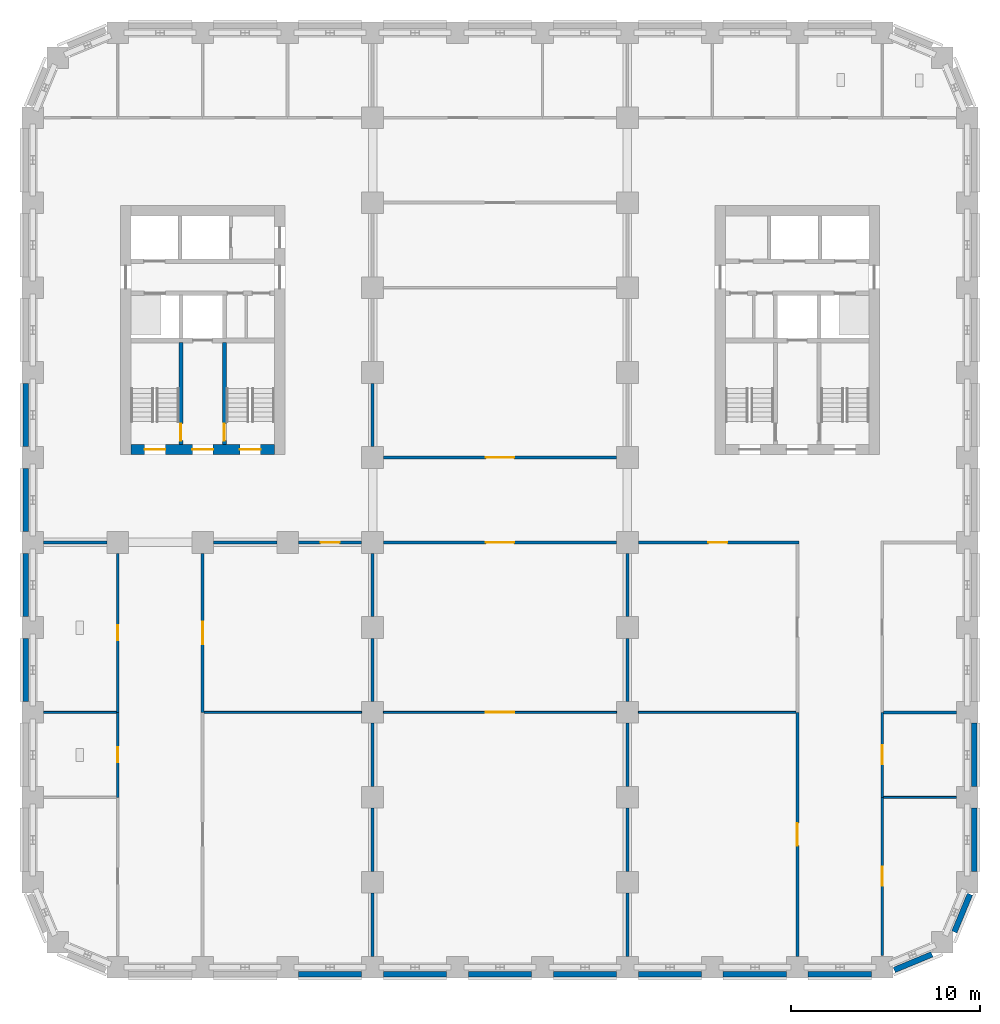
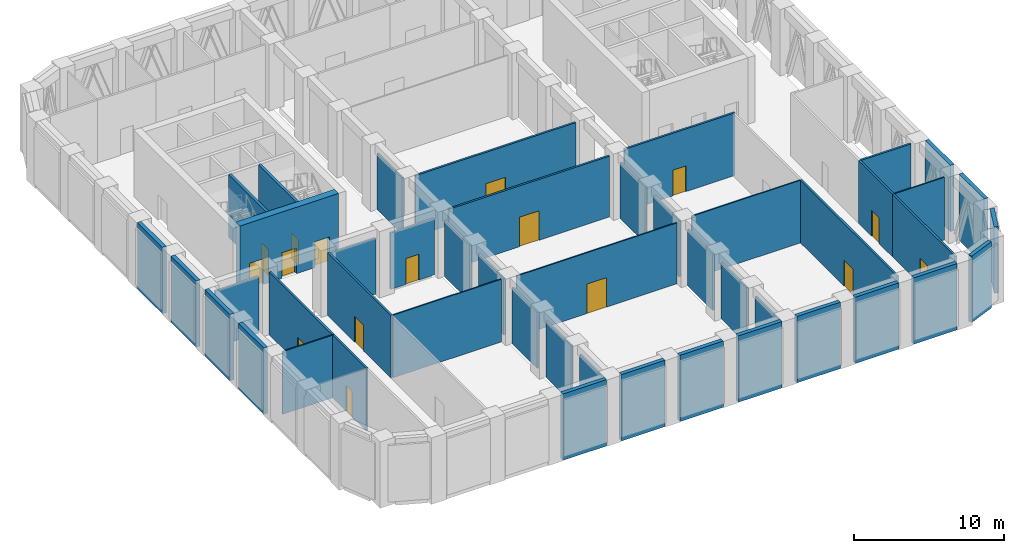
# One storey, part 3 of 11: 47 walls, 16 doors, 16 openings.
"""IFC4 building model written with IfcOpenShell, lengths in metres."""

from ifc_helpers import new_model, si_unit, direction, frame, frame_2d, origin, place, context, subcontext, project, spatial, rectangle, extrude, material, layer, layer_set, type_object, element, fill, save


model = new_model("IFC4")

# Units and contexts
model_context = context("Model", 3, precision=1e-05, world=origin(), true_north=direction((0.0, 1.0)))
body_context = subcontext(model_context, "Body", "Model", "MODEL_VIEW")
ifc_project = project(units=[si_unit("LENGTHUNIT", "METRE"), si_unit("AREAUNIT", "SQUARE_METRE"), si_unit("VOLUMEUNIT", "CUBIC_METRE"), si_unit("PLANEANGLEUNIT", "RADIAN"), si_unit("MASSUNIT", "GRAM", prefix="KILO")], contexts=[model_context])

# Site, building, storey
site_placement = place(None, origin())
site = spatial("IfcSite", under=ifc_project, at=site_placement, CompositionType="ELEMENT")
building_placement = place(site_placement, origin())
building = spatial("IfcBuilding", under=site, at=building_placement, Name="Girih Gate Residences", CompositionType="ELEMENT")
storey_placement = place(building_placement, frame((0.0, 0.0, 124.800048828125)))
storey = spatial("IfcBuildingStorey", under=building, at=storey_placement, Name="L35", CompositionType="ELEMENT", Elevation=124.800048828125)

# Wall, opening, door
ifc_material_1 = material(Name="Gypsum board on steel studs", Category="steel")
ifc_layer_1 = layer(ifc_material_1, 0.14990234375)
ifc_layer_set_1 = layer_set([ifc_layer_1], Name="Compartment wall 150 mm")
wall_type_1 = type_object("IfcWallType", Name="Compartment wall 150 mm", PredefinedType="PARTITIONING", material=ifc_layer_set_1)
wall_1_placement = place(storey_placement, frame((18.574951171875, 27.0, 0.0), z_axis=(0.0, 0.0, 1.0), x_axis=(1.0, 0.0, 0.0)))
wall_1 = element("IfcWall", 1, at=wall_1_placement, inside=storey, type_object=wall_type_1, Name="L35 partition", PredefinedType="PARTITIONING", context=body_context, shape_type="SweptSolid", body=[
    extrude(rectangle(XDim=12.35009765625, YDim=0.14990234375, at=frame_2d((6.175048828125, 0.0))), origin(), (0.0, 0.0, 1.0), 4.949951171875),
])
opening_1_placement = place(wall_1_placement, frame((5.425048828125, 0.0, 0.0)))
opening_1 = element("IfcOpeningElement", 2, at=opening_1_placement, cuts=wall_1, Name="Opening D-L35-S-001", PredefinedType="OPENING", context=body_context, shape_type="SweptSolid", body=[
    extrude(rectangle(XDim=1.5, YDim=2.39990234375, at=frame_2d((0.75, 1.199951171875))), frame((0.0, 0.0849609375, 0.0), z_axis=(0.0, -1.0, 0.0), x_axis=(1.0, 0.0, 0.0)), (0.0, 0.0, 1.0), 0.169921875),
])
ifc_material_2 = material(Name="Painted steel, fire-resisting", Category="steel")
door_type_1 = type_object("IfcDoorType", Name="Plant room door pair 1500x2400 FD60", OperationType="DOUBLE_DOOR_SINGLE_SWING", PredefinedType="DOOR", material=ifc_material_2)
door_1_placement = place(opening_1_placement, origin())
door_1 = element("IfcDoor", 3, at=door_1_placement, inside=storey, type_object=door_type_1, Name="Door L35-001", OperationType="DOUBLE_DOOR_SINGLE_SWING", OverallHeight=2.39990234375, OverallWidth=1.5, PredefinedType="DOOR", context=body_context, shape_type="SweptSolid", body=[
    extrude(rectangle(XDim=1.5, YDim=2.39990234375, at=frame_2d((0.75, 1.199951171875))), frame((0.0, 0.02490234375, 0.0), z_axis=(0.0, -1.0, 0.0), x_axis=(1.0, 0.0, 0.0)), (0.0, 0.0, 1.0), 0.050048828125),
])
fill(opening_1, door_1)

wall_2_placement = place(storey_placement, frame((30.925048828125, 22.5, 0.0), z_axis=(0.0, 0.0, 1.0), x_axis=(-1.0, 0.0, 0.0)))
wall_2 = element("IfcWall", 4, at=wall_2_placement, inside=storey, type_object=wall_type_1, Name="L35 partition", PredefinedType="PARTITIONING", context=body_context, shape_type="SweptSolid", body=[
    extrude(rectangle(XDim=12.35009765625, YDim=0.14990234375, at=frame_2d((6.175048828125, 0.0))), origin(), (0.0, 0.0, 1.0), 4.949951171875),
])
opening_2_placement = place(wall_2_placement, frame((5.425048828125, 0.0, 0.0)))
opening_2 = element("IfcOpeningElement", 5, at=opening_2_placement, cuts=wall_2, Name="Opening D-L35-S-002", PredefinedType="OPENING", context=body_context, shape_type="SweptSolid", body=[
    extrude(rectangle(XDim=1.5, YDim=2.39990234375, at=frame_2d((0.75, 1.199951171875))), frame((0.0, 0.0849609375, 0.0), z_axis=(0.0, -1.0, 0.0), x_axis=(1.0, 0.0, 0.0)), (0.0, 0.0, 1.0), 0.169921875),
])
door_2_placement = place(opening_2_placement, origin())
door_2 = element("IfcDoor", 6, at=door_2_placement, inside=storey, type_object=door_type_1, Name="Door L35-002", OperationType="DOUBLE_DOOR_SINGLE_SWING", OverallHeight=2.39990234375, OverallWidth=1.5, PredefinedType="DOOR", context=body_context, shape_type="SweptSolid", body=[
    extrude(rectangle(XDim=1.5, YDim=2.39990234375, at=frame_2d((0.75, 1.199951171875))), frame((0.0, 0.02490234375, 0.0), z_axis=(0.0, -1.0, 0.0), x_axis=(1.0, 0.0, 0.0)), (0.0, 0.0, 1.0), 0.050048828125),
])
fill(opening_2, door_2)

# Walls
for number, where, z_axis, x_axis, name in (
    (7, (18.0, 27.574951171875, 0.0), (0.0, 0.0, 1.0), (0.0, 1.0, 0.0), "L35 partition"),
    (8, (31.5, 9.574951171875, 0.0), (0.0, 0.0, 1.0), (0.0, 1.0, 0.0), "L35 partition"),
    (9, (31.5, 5.074951171875, 0.0), (0.0, 0.0, 1.0), (0.0, 1.0, 0.0), "L35 partition"),
    (10, (31.5, 0.574951171875, 0.0), (0.0, 0.0, 1.0), (0.0, 1.0, 0.0), "L35 partition"),
    (11, (18.0, 0.574951171875, 0.0), (0.0, 0.0, 1.0), (0.0, 1.0, 0.0), "L35 partition"),
    (12, (18.0, 5.074951171875, 0.0), (0.0, 0.0, 1.0), (0.0, 1.0, 0.0), "L35 partition"),
    (13, (18.0, 9.574951171875, 0.0), (0.0, 0.0, 1.0), (0.0, 1.0, 0.0), "L35 partition"),
    (14, (31.5, 18.574951171875, 0.0), (0.0, 0.0, 1.0), (0.0, 1.0, 0.0), "L35 partition"),
    (15, (31.5, 14.074951171875, 0.0), (0.0, 0.0, 1.0), (0.0, 1.0, 0.0), "L35 partition"),
    (16, (18.0, 14.074951171875, 0.0), (0.0, 0.0, 1.0), (0.0, 1.0, 0.0), "L35 partition"),
    (17, (18.0, 18.574951171875, 0.0), (0.0, 0.0, 1.0), (0.0, 1.0, 0.0), "L35 partition"),
):
    element("IfcWall", number, at=place(storey_placement, frame(where, z_axis=z_axis, x_axis=x_axis)), inside=storey, type_object=wall_type_1, Name=name, PredefinedType="PARTITIONING", context=body_context, shape_type="SweptSolid", body=[
        extrude(rectangle(XDim=3.35009765625, YDim=0.14990234375, at=frame_2d((1.675048828125, 0.0))), origin(), (0.0, 0.0, 1.0), 4.579833984375),
    ])

# Wall, opening, door
wall_3_placement = place(storey_placement, frame((40.574951171875, 22.5, 0.0), z_axis=(0.0, 0.0, 1.0), x_axis=(-1.0, 0.0, 0.0)))
wall_3 = element("IfcWall", 18, at=wall_3_placement, inside=storey, type_object=wall_type_1, Name="L35 partition", PredefinedType="PARTITIONING", context=body_context, shape_type="SweptSolid", body=[
    extrude(rectangle(XDim=8.5, YDim=0.14990234375, at=frame_2d((4.25, 0.0))), origin(), (0.0, 0.0, 1.0), 5.099853515625),
])
opening_3_placement = place(wall_3_placement, frame((3.78759765625, 0.0, 0.0)))
opening_3 = element("IfcOpeningElement", 19, at=opening_3_placement, cuts=wall_3, Name="Opening D-L35-S-007", PredefinedType="OPENING", context=body_context, shape_type="SweptSolid", body=[
    extrude(rectangle(XDim=1.0, YDim=2.10009765625, at=frame_2d((0.5, 1.050048828125))), frame((0.0, 0.0849609375, 0.0), z_axis=(0.0, -1.0, 0.0), x_axis=(1.0, 0.0, 0.0)), (0.0, 0.0, 1.0), 0.169921875),
])
ifc_material_3 = material(Name="Timber, fire-rated core", Category="wood")
door_type_2 = type_object("IfcDoorType", Name="Amenity door 1000x2100 FD30S", OperationType="SINGLE_SWING_LEFT", PredefinedType="DOOR", material=ifc_material_3)
door_3_placement = place(opening_3_placement, origin())
door_3 = element("IfcDoor", 20, at=door_3_placement, inside=storey, type_object=door_type_2, Name="Door L35-007", OperationType="SINGLE_SWING_RIGHT", OverallHeight=2.10009765625, OverallWidth=1.0, PredefinedType="DOOR", context=body_context, shape_type="SweptSolid", body=[
    extrude(rectangle(XDim=1.0, YDim=2.10009765625, at=frame_2d((0.5, 1.050048828125))), frame((0.0, 0.02490234375, 0.0), z_axis=(0.0, -1.0, 0.0), x_axis=(1.0, 0.0, 0.0)), (0.0, 0.0, 1.0), 0.050048828125),
])
fill(opening_3, door_3)

wall_4_placement = place(storey_placement, frame((40.5, 0.574951171875, 0.0), z_axis=(0.0, 0.0, 1.0), x_axis=(0.0, 1.0, 0.0)))
wall_4 = element("IfcWall", 21, at=wall_4_placement, inside=storey, type_object=wall_type_1, Name="L35 partition", PredefinedType="PARTITIONING", context=body_context, shape_type="SweptSolid", body=[
    extrude(rectangle(XDim=12.925048828125, YDim=0.14990234375, at=frame_2d((6.46240234375, 0.0))), origin(), (0.0, 0.0, 1.0), 5.099853515625),
])
opening_4_placement = place(wall_4_placement, frame((5.862548828125, 0.0, 0.0)))
opening_4 = element("IfcOpeningElement", 22, at=opening_4_placement, cuts=wall_4, Name="Opening D-L35-S-012", PredefinedType="OPENING", context=body_context, shape_type="SweptSolid", body=[
    extrude(rectangle(XDim=1.199951171875, YDim=2.10009765625, at=frame_2d((0.60009765625, 1.050048828125))), frame((0.0, 0.0849609375, 0.0), z_axis=(0.0, -1.0, 0.0), x_axis=(1.0, 0.0, 0.0)), (0.0, 0.0, 1.0), 0.169921875),
])
door_type_3 = type_object("IfcDoorType", Name="Gallery fire door 1200x2100 FD30S", OperationType="SINGLE_SWING_LEFT", PredefinedType="DOOR", material=ifc_material_3)
door_4_placement = place(opening_4_placement, origin())
door_4 = element("IfcDoor", 23, at=door_4_placement, inside=storey, type_object=door_type_3, Name="Door L35-012", OperationType="SINGLE_SWING_RIGHT", OverallHeight=2.10009765625, OverallWidth=1.199951171875, PredefinedType="DOOR", context=body_context, shape_type="SweptSolid", body=[
    extrude(rectangle(XDim=1.199951171875, YDim=2.10009765625, at=frame_2d((0.60009765625, 1.050048828125))), frame((0.0, 0.02490234375, 0.0), z_axis=(0.0, -1.0, 0.0), x_axis=(1.0, 0.0, 0.0)), (0.0, 0.0, 1.0), 0.050048828125),
])
fill(opening_4, door_4)

wall_5_placement = place(storey_placement, frame((45.0, 9.0, 0.0), z_axis=(0.0, 0.0, 1.0), x_axis=(0.0, -1.0, 0.0)))
wall_5 = element("IfcWall", 24, at=wall_5_placement, inside=storey, type_object=wall_type_1, Name="L35 partition", PredefinedType="PARTITIONING", context=body_context, shape_type="SweptSolid", body=[
    extrude(rectangle(XDim=8.377685546875, YDim=0.14990234375, at=frame_2d((4.18896484375, 0.0))), origin(), (0.0, 0.0, 1.0), 5.099853515625),
])
opening_5_placement = place(wall_5_placement, frame((3.688720703125, 0.0, 0.0)))
opening_5 = element("IfcOpeningElement", 25, at=opening_5_placement, cuts=wall_5, Name="Opening D-L35-S-014", PredefinedType="OPENING", context=body_context, shape_type="SweptSolid", body=[
    extrude(rectangle(XDim=1.0, YDim=2.10009765625, at=frame_2d((0.5, 1.050048828125))), frame((0.0, 0.0849609375, 0.0), z_axis=(0.0, -1.0, 0.0), x_axis=(1.0, 0.0, 0.0)), (0.0, 0.0, 1.0), 0.169921875),
])
door_type_4 = type_object("IfcDoorType", Name="Plant room door 1000x2100 FD60", OperationType="SINGLE_SWING_LEFT", PredefinedType="DOOR", material=ifc_material_2)
door_5_placement = place(opening_5_placement, origin())
door_5 = element("IfcDoor", 26, at=door_5_placement, inside=storey, type_object=door_type_4, Name="Door L35-014", OperationType="SINGLE_SWING_RIGHT", OverallHeight=2.10009765625, OverallWidth=1.0, PredefinedType="DOOR", context=body_context, shape_type="SweptSolid", body=[
    extrude(rectangle(XDim=1.0, YDim=2.10009765625, at=frame_2d((0.5, 1.050048828125))), frame((0.0, 0.02490234375, 0.0), z_axis=(0.0, -1.0, 0.0), x_axis=(1.0, 0.0, 0.0)), (0.0, 0.0, 1.0), 0.050048828125),
])
fill(opening_5, door_5)

wall_6_placement = place(storey_placement, frame((45.0, 13.5, 0.0), z_axis=(0.0, 0.0, 1.0), x_axis=(0.0, -1.0, 0.0)))
wall_6 = element("IfcWall", 27, at=wall_6_placement, inside=storey, type_object=wall_type_1, Name="L35 partition", PredefinedType="PARTITIONING", context=body_context, shape_type="SweptSolid", body=[
    extrude(rectangle(XDim=4.5, YDim=0.14990234375, at=frame_2d((2.25, 0.0))), origin(), (0.0, 0.0, 1.0), 5.099853515625),
])
opening_6_placement = place(wall_6_placement, frame((1.75, 0.0, 0.0)))
opening_6 = element("IfcOpeningElement", 28, at=opening_6_placement, cuts=wall_6, Name="Opening D-L35-S-015", PredefinedType="OPENING", context=body_context, shape_type="SweptSolid", body=[
    extrude(rectangle(XDim=1.0, YDim=2.10009765625, at=frame_2d((0.5, 1.050048828125))), frame((0.0, 0.0849609375, 0.0), z_axis=(0.0, -1.0, 0.0), x_axis=(1.0, 0.0, 0.0)), (0.0, 0.0, 1.0), 0.169921875),
])
door_6_placement = place(opening_6_placement, origin())
door_6 = element("IfcDoor", 29, at=door_6_placement, inside=storey, type_object=door_type_4, Name="Door L35-015", OperationType="SINGLE_SWING_RIGHT", OverallHeight=2.10009765625, OverallWidth=1.0, PredefinedType="DOOR", context=body_context, shape_type="SweptSolid", body=[
    extrude(rectangle(XDim=1.0, YDim=2.10009765625, at=frame_2d((0.5, 1.050048828125))), frame((0.0, 0.02490234375, 0.0), z_axis=(0.0, -1.0, 0.0), x_axis=(1.0, 0.0, 0.0)), (0.0, 0.0, 1.0), 0.050048828125),
])
fill(opening_6, door_6)

# Wall
wall_7_placement = place(storey_placement, frame((45.074951171875, 13.5, 0.0), z_axis=(0.0, 0.0, 1.0), x_axis=(1.0, 0.0, 0.0)))
element("IfcWall", 30, at=wall_7_placement, inside=storey, type_object=wall_type_1, Name="L35 partition", PredefinedType="PARTITIONING", context=body_context, shape_type="SweptSolid", body=[
    extrude(rectangle(XDim=3.85009765625, YDim=0.14990234375, at=frame_2d((1.925048828125, 0.0))), origin(), (0.0, 0.0, 1.0), 5.099853515625),
])

# Wall, opening, door
wall_8_placement = place(storey_placement, frame((17.425048828125, 22.5, 0.0), z_axis=(0.0, 0.0, 1.0), x_axis=(-1.0, 0.0, 0.0)))
wall_8 = element("IfcWall", 31, at=wall_8_placement, inside=storey, type_object=wall_type_1, Name="L35 partition", PredefinedType="PARTITIONING", context=body_context, shape_type="SweptSolid", body=[
    extrude(rectangle(XDim=3.35009765625, YDim=0.14990234375, at=frame_2d((1.675048828125, 0.0))), origin(), (0.0, 0.0, 1.0), 4.579833984375),
])
opening_7_placement = place(wall_8_placement, frame((1.175048828125, 0.0, 0.0)))
opening_7 = element("IfcOpeningElement", 32, at=opening_7_placement, cuts=wall_8, Name="Opening D-L35-S-017", PredefinedType="OPENING", context=body_context, shape_type="SweptSolid", body=[
    extrude(rectangle(XDim=1.0, YDim=2.10009765625, at=frame_2d((0.5, 1.050048828125))), frame((0.0, 0.0849609375, 0.0), z_axis=(0.0, -1.0, 0.0), x_axis=(1.0, 0.0, 0.0)), (0.0, 0.0, 1.0), 0.169921875),
])
door_7_placement = place(opening_7_placement, origin())
door_7 = element("IfcDoor", 33, at=door_7_placement, inside=storey, type_object=door_type_2, Name="Door L35-017", OperationType="SINGLE_SWING_RIGHT", OverallHeight=2.10009765625, OverallWidth=1.0, PredefinedType="DOOR", context=body_context, shape_type="SweptSolid", body=[
    extrude(rectangle(XDim=1.0, YDim=2.10009765625, at=frame_2d((0.5, 1.050048828125))), frame((0.0, 0.02490234375, 0.0), z_axis=(0.0, -1.0, 0.0), x_axis=(1.0, 0.0, 0.0)), (0.0, 0.0, 1.0), 0.050048828125),
])
fill(opening_7, door_7)

# Walls
for number, where, z_axis, x_axis, name in (
    (34, (9.574951171875, 22.5, 0.0), (0.0, 0.0, 1.0), (1.0, 0.0, 0.0), "L35 partition"),
    (35, (0.574951171875, 22.5, 0.0), (0.0, 0.0, 1.0), (1.0, 0.0, 0.0), "L35 partition"),
):
    element("IfcWall", number, at=place(storey_placement, frame(where, z_axis=z_axis, x_axis=x_axis)), inside=storey, type_object=wall_type_1, Name=name, PredefinedType="PARTITIONING", context=body_context, shape_type="SweptSolid", body=[
        extrude(rectangle(XDim=3.35009765625, YDim=0.14990234375, at=frame_2d((1.675048828125, 0.0))), origin(), (0.0, 0.0, 1.0), 4.579833984375),
    ])

# Wall, opening, door
wall_9_placement = place(storey_placement, frame((9.0, 21.925048828125, 0.0), z_axis=(0.0, 0.0, 1.0), x_axis=(0.0, -1.0, 0.0)))
wall_9 = element("IfcWall", 36, at=wall_9_placement, inside=storey, type_object=wall_type_1, Name="L35 partition", PredefinedType="PARTITIONING", context=body_context, shape_type="SweptSolid", body=[
    extrude(rectangle(XDim=8.425048828125, YDim=0.14990234375, at=frame_2d((4.21240234375, 0.0))), origin(), (0.0, 0.0, 1.0), 5.099853515625),
])
opening_8_placement = place(wall_9_placement, frame((3.612548828125, 0.0, 0.0)))
opening_8 = element("IfcOpeningElement", 37, at=opening_8_placement, cuts=wall_9, Name="Opening D-L35-S-023", PredefinedType="OPENING", context=body_context, shape_type="SweptSolid", body=[
    extrude(rectangle(XDim=1.199951171875, YDim=2.10009765625, at=frame_2d((0.60009765625, 1.050048828125))), frame((0.0, 0.0849609375, 0.0), z_axis=(0.0, -1.0, 0.0), x_axis=(1.0, 0.0, 0.0)), (0.0, 0.0, 1.0), 0.169921875),
])
door_8_placement = place(opening_8_placement, origin())
door_8 = element("IfcDoor", 38, at=door_8_placement, inside=storey, type_object=door_type_3, Name="Door L35-023", OperationType="SINGLE_SWING_RIGHT", OverallHeight=2.10009765625, OverallWidth=1.199951171875, PredefinedType="DOOR", context=body_context, shape_type="SweptSolid", body=[
    extrude(rectangle(XDim=1.199951171875, YDim=2.10009765625, at=frame_2d((0.60009765625, 1.050048828125))), frame((0.0, 0.02490234375, 0.0), z_axis=(0.0, -1.0, 0.0), x_axis=(1.0, 0.0, 0.0)), (0.0, 0.0, 1.0), 0.050048828125),
])
fill(opening_8, door_8)

wall_10_placement = place(storey_placement, frame((4.5, 9.0, 0.0), z_axis=(0.0, 0.0, 1.0), x_axis=(0.0, 1.0, 0.0)))
wall_10 = element("IfcWall", 39, at=wall_10_placement, inside=storey, type_object=wall_type_1, Name="L35 partition", PredefinedType="PARTITIONING", context=body_context, shape_type="SweptSolid", body=[
    extrude(rectangle(XDim=4.5, YDim=0.14990234375, at=frame_2d((2.25, 0.0))), origin(), (0.0, 0.0, 1.0), 5.099853515625),
])
opening_9_placement = place(wall_10_placement, frame((1.85009765625, 0.0, 0.0)))
opening_9 = element("IfcOpeningElement", 40, at=opening_9_placement, cuts=wall_10, Name="Opening D-L35-S-025", PredefinedType="OPENING", context=body_context, shape_type="SweptSolid", body=[
    extrude(rectangle(XDim=0.800048828125, YDim=2.10009765625, at=frame_2d((0.39990234375, 1.050048828125))), frame((0.0, 0.0849609375, 0.0), z_axis=(0.0, -1.0, 0.0), x_axis=(1.0, 0.0, 0.0)), (0.0, 0.0, 1.0), 0.169921875),
])
ifc_material_4 = material(Name="Timber", Category="wood")
door_type_5 = type_object("IfcDoorType", Name="WC and store door 800x2100", OperationType="SINGLE_SWING_LEFT", PredefinedType="DOOR", material=ifc_material_4)
door_9_placement = place(opening_9_placement, origin())
door_9 = element("IfcDoor", 41, at=door_9_placement, inside=storey, type_object=door_type_5, Name="Door L35-025", OperationType="SINGLE_SWING_RIGHT", OverallHeight=2.10009765625, OverallWidth=0.800048828125, PredefinedType="DOOR", context=body_context, shape_type="SweptSolid", body=[
    extrude(rectangle(XDim=0.800048828125, YDim=2.10009765625, at=frame_2d((0.39990234375, 1.050048828125))), frame((0.0, 0.02490234375, 0.0), z_axis=(0.0, -1.0, 0.0), x_axis=(1.0, 0.0, 0.0)), (0.0, 0.0, 1.0), 0.050048828125),
])
fill(opening_9, door_9)

wall_11_placement = place(storey_placement, frame((4.5, 13.5, 0.0), z_axis=(0.0, 0.0, 1.0), x_axis=(0.0, 1.0, 0.0)))
wall_11 = element("IfcWall", 42, at=wall_11_placement, inside=storey, type_object=wall_type_1, Name="L35 partition", PredefinedType="PARTITIONING", context=body_context, shape_type="SweptSolid", body=[
    extrude(rectangle(XDim=8.425048828125, YDim=0.14990234375, at=frame_2d((4.21240234375, 0.0))), origin(), (0.0, 0.0, 1.0), 5.099853515625),
])
opening_10_placement = place(wall_11_placement, frame((3.8125, 0.0, 0.0)))
opening_10 = element("IfcOpeningElement", 43, at=opening_10_placement, cuts=wall_11, Name="Opening D-L35-S-026", PredefinedType="OPENING", context=body_context, shape_type="SweptSolid", body=[
    extrude(rectangle(XDim=0.800048828125, YDim=2.10009765625, at=frame_2d((0.39990234375, 1.050048828125))), frame((0.0, 0.0849609375, 0.0), z_axis=(0.0, -1.0, 0.0), x_axis=(1.0, 0.0, 0.0)), (0.0, 0.0, 1.0), 0.169921875),
])
door_10_placement = place(opening_10_placement, origin())
door_10 = element("IfcDoor", 44, at=door_10_placement, inside=storey, type_object=door_type_5, Name="Door L35-026", OperationType="SINGLE_SWING_LEFT", OverallHeight=2.10009765625, OverallWidth=0.800048828125, PredefinedType="DOOR", context=body_context, shape_type="SweptSolid", body=[
    extrude(rectangle(XDim=0.800048828125, YDim=2.10009765625, at=frame_2d((0.39990234375, 1.050048828125))), frame((0.0, 0.02490234375, 0.0), z_axis=(0.0, -1.0, 0.0), x_axis=(1.0, 0.0, 0.0)), (0.0, 0.0, 1.0), 0.050048828125),
])
fill(opening_10, door_10)

# Wall, openings, doors
ifc_material_5 = material(Name="Concrete C60/75", Category="concrete")
ifc_layer_2 = layer(ifc_material_5, 0.550048828125)
ifc_layer_set_2 = layer_set([ifc_layer_2], Name="Core wall RC 550 Concrete C60/75")
wall_type_2 = type_object("IfcWallType", Name="Core wall RC 550 Concrete C60/75", PredefinedType="SOLIDWALL", material=ifc_layer_set_2)
wall_12_placement = place(storey_placement, frame((5.199951171875, 27.425048828125, 0.0), z_axis=(0.0, 0.0, 1.0), x_axis=(1.0, 0.0, 0.0)))
wall_12 = element("IfcWall", 45, at=wall_12_placement, inside=storey, type_object=wall_type_2, Name="Core wall W-S L35", PredefinedType="SOLIDWALL", context=body_context, shape_type="SweptSolid", body=[
    extrude(rectangle(XDim=7.60009765625, YDim=0.550048828125, at=frame_2d((3.800048828125, 0.0))), origin(), (0.0, 0.0, 1.0), 5.39990234375),
])
opening_11_placement = place(wall_12_placement, frame((0.72509765625, 0.0, 0.0)))
opening_11 = element("IfcOpeningElement", 46, at=opening_11_placement, cuts=wall_12, Name="Opening D-L35-W-009", PredefinedType="OPENING", context=body_context, shape_type="SweptSolid", body=[
    extrude(rectangle(XDim=1.10009765625, YDim=2.10009765625, at=frame_2d((0.550048828125, 1.050048828125))), frame((0.0, 0.284912109375, 0.0), z_axis=(0.0, -1.0, 0.0), x_axis=(1.0, 0.0, 0.0)), (0.0, 0.0, 1.0), 0.570068359375),
])
opening_12_placement = place(wall_12_placement, frame((3.25, 0.0, 0.0)))
opening_12 = element("IfcOpeningElement", 47, at=opening_12_placement, cuts=wall_12, Name="Opening D-L35-W-010", PredefinedType="OPENING", context=body_context, shape_type="SweptSolid", body=[
    extrude(rectangle(XDim=1.10009765625, YDim=2.10009765625, at=frame_2d((0.550048828125, 1.050048828125))), frame((0.0, 0.284912109375, 0.0), z_axis=(0.0, -1.0, 0.0), x_axis=(1.0, 0.0, 0.0)), (0.0, 0.0, 1.0), 0.570068359375),
])
opening_13_placement = place(wall_12_placement, frame((5.77490234375, 0.0, 0.0)))
opening_13 = element("IfcOpeningElement", 48, at=opening_13_placement, cuts=wall_12, Name="Opening D-L35-W-011", PredefinedType="OPENING", context=body_context, shape_type="SweptSolid", body=[
    extrude(rectangle(XDim=1.10009765625, YDim=2.10009765625, at=frame_2d((0.550048828125, 1.050048828125))), frame((0.0, 0.284912109375, 0.0), z_axis=(0.0, -1.0, 0.0), x_axis=(1.0, 0.0, 0.0)), (0.0, 0.0, 1.0), 0.570068359375),
])
door_type_6 = type_object("IfcDoorType", Name="Fire door 1100x2100", OperationType="SINGLE_SWING_LEFT", PredefinedType="DOOR", material=ifc_material_2)
door_11_placement = place(opening_11_placement, origin())
door_11 = element("IfcDoor", 49, at=door_11_placement, inside=storey, type_object=door_type_6, Name="L35 W core door sta-out", OperationType="SINGLE_SWING_LEFT", OverallHeight=2.10009765625, OverallWidth=1.10009765625, PredefinedType="DOOR", context=body_context, shape_type="SweptSolid", body=[
    extrude(rectangle(XDim=1.10009765625, YDim=2.10009765625, at=frame_2d((0.550048828125, 1.050048828125))), frame((0.0, 0.02490234375, 0.0), z_axis=(0.0, -1.0, 0.0), x_axis=(1.0, 0.0, 0.0)), (0.0, 0.0, 1.0), 0.050048828125),
])
fill(opening_11, door_11)
door_12_placement = place(opening_12_placement, origin())
door_12 = element("IfcDoor", 50, at=door_12_placement, inside=storey, type_object=door_type_6, Name="L35 W core door ffl-out", OperationType="SINGLE_SWING_LEFT", OverallHeight=2.10009765625, OverallWidth=1.10009765625, PredefinedType="DOOR", context=body_context, shape_type="SweptSolid", body=[
    extrude(rectangle(XDim=1.10009765625, YDim=2.10009765625, at=frame_2d((0.550048828125, 1.050048828125))), frame((0.0, 0.02490234375, 0.0), z_axis=(0.0, -1.0, 0.0), x_axis=(1.0, 0.0, 0.0)), (0.0, 0.0, 1.0), 0.050048828125),
])
fill(opening_12, door_12)
door_13_placement = place(opening_13_placement, origin())
door_13 = element("IfcDoor", 51, at=door_13_placement, inside=storey, type_object=door_type_6, Name="L35 W core door stb-out", OperationType="SINGLE_SWING_LEFT", OverallHeight=2.10009765625, OverallWidth=1.10009765625, PredefinedType="DOOR", context=body_context, shape_type="SweptSolid", body=[
    extrude(rectangle(XDim=1.10009765625, YDim=2.10009765625, at=frame_2d((0.550048828125, 1.050048828125))), frame((0.0, 0.02490234375, 0.0), z_axis=(0.0, -1.0, 0.0), x_axis=(1.0, 0.0, 0.0)), (0.0, 0.0, 1.0), 0.050048828125),
])
fill(opening_13, door_13)

# Wall, opening, door
ifc_layer_3 = layer(ifc_material_1, 0.10009765625)
ifc_layer_set_3 = layer_set([ifc_layer_3], Name="Partition 100 mm")
wall_type_3 = type_object("IfcWallType", Name="Partition 100 mm", PredefinedType="PARTITIONING", material=ifc_layer_set_3)
wall_13_placement = place(storey_placement, frame((30.925048828125, 13.5, 0.0), z_axis=(0.0, 0.0, 1.0), x_axis=(-1.0, 0.0, 0.0)))
wall_13 = element("IfcWall", 52, at=wall_13_placement, inside=storey, type_object=wall_type_3, Name="L35 partition", PredefinedType="PARTITIONING", context=body_context, shape_type="SweptSolid", body=[
    extrude(rectangle(XDim=12.35009765625, YDim=0.10009765625, at=frame_2d((6.175048828125, 0.0))), origin(), (0.0, 0.0, 1.0), 4.949951171875),
])
opening_14_placement = place(wall_13_placement, frame((5.425048828125, 0.0, 0.0)))
opening_14 = element("IfcOpeningElement", 53, at=opening_14_placement, cuts=wall_13, Name="Opening D-L35-S-006", PredefinedType="OPENING", context=body_context, shape_type="SweptSolid", body=[
    extrude(rectangle(XDim=1.5, YDim=2.39990234375, at=frame_2d((0.75, 1.199951171875))), frame((0.0, 0.06005859375, 0.0), z_axis=(0.0, -1.0, 0.0), x_axis=(1.0, 0.0, 0.0)), (0.0, 0.0, 1.0), 0.1201171875),
])
door_14_placement = place(opening_14_placement, origin())
door_14 = element("IfcDoor", 54, at=door_14_placement, inside=storey, type_object=door_type_1, Name="Door L35-006", OperationType="DOUBLE_DOOR_SINGLE_SWING", OverallHeight=2.39990234375, OverallWidth=1.5, PredefinedType="DOOR", context=body_context, shape_type="SweptSolid", body=[
    extrude(rectangle(XDim=1.5, YDim=2.39990234375, at=frame_2d((0.75, 1.199951171875))), frame((0.0, 0.02490234375, 0.0), z_axis=(0.0, -1.0, 0.0), x_axis=(1.0, 0.0, 0.0)), (0.0, 0.0, 1.0), 0.050048828125),
])
fill(opening_14, door_14)

# Walls
wall_14_placement = place(storey_placement, frame((32.074951171875, 13.5, 0.0), z_axis=(0.0, 0.0, 1.0), x_axis=(1.0, 0.0, 0.0)))
element("IfcWall", 55, at=wall_14_placement, inside=storey, type_object=wall_type_3, Name="L35 partition", PredefinedType="PARTITIONING", context=body_context, shape_type="SweptSolid", body=[
    extrude(rectangle(XDim=8.35009765625, YDim=0.10009765625, at=frame_2d((4.175048828125, 0.0))), origin(), (0.0, 0.0, 1.0), 5.099853515625),
])
wall_15_placement = place(storey_placement, frame((45.074951171875, 9.0, 0.0), z_axis=(0.0, 0.0, 1.0), x_axis=(1.0, 0.0, 0.0)))
element("IfcWall", 56, at=wall_15_placement, inside=storey, type_object=wall_type_3, Name="L35 partition", PredefinedType="PARTITIONING", context=body_context, shape_type="SweptSolid", body=[
    extrude(rectangle(XDim=3.85009765625, YDim=0.10009765625, at=frame_2d((1.925048828125, 0.0))), origin(), (0.0, 0.0, 1.0), 5.099853515625),
])
wall_16_placement = place(storey_placement, frame((9.074951171875, 13.5, 0.0), z_axis=(0.0, 0.0, 1.0), x_axis=(1.0, 0.0, 0.0)))
element("IfcWall", 57, at=wall_16_placement, inside=storey, type_object=wall_type_3, Name="L35 partition", PredefinedType="PARTITIONING", context=body_context, shape_type="SweptSolid", body=[
    extrude(rectangle(XDim=8.35009765625, YDim=0.10009765625, at=frame_2d((4.175048828125, 0.0))), origin(), (0.0, 0.0, 1.0), 5.099853515625),
])
wall_17_placement = place(storey_placement, frame((0.574951171875, 13.5, 0.0), z_axis=(0.0, 0.0, 1.0), x_axis=(1.0, 0.0, 0.0)))
element("IfcWall", 58, at=wall_17_placement, inside=storey, type_object=wall_type_3, Name="L35 partition", PredefinedType="PARTITIONING", context=body_context, shape_type="SweptSolid", body=[
    extrude(rectangle(XDim=3.85009765625, YDim=0.10009765625, at=frame_2d((1.925048828125, 0.0))), origin(), (0.0, 0.0, 1.0), 5.099853515625),
])
ifc_material_6 = material(Name="Precast concrete C50/60", Category="concrete")
ifc_layer_4 = layer(ifc_material_6, 0.080078125, Name="Outer leaf")
ifc_material_7 = material(Name="Rigid PIR insulation")
ifc_layer_5 = layer(ifc_material_7, 0.14990234375, Name="Insulation")
ifc_material_8 = material(Name="Precast concrete C40/50", Category="concrete")
ifc_layer_6 = layer(ifc_material_8, 0.070068359375, Name="Inner leaf")
ifc_layer_set_4 = layer_set([ifc_layer_4, ifc_layer_5, ifc_layer_6], Name="Precast concrete C50/60 external wall 300")
wall_type_4 = type_object("IfcWallType", Name="Precast concrete C50/60 external wall 300", PredefinedType="SOLIDWALL", material=ifc_layer_set_4)
for number, where, z_axis, x_axis, name in (
    (59, (17.425048828125, -0.375, 0.0), (0.0, 0.0, 1.0), (-1.0, 0.0, 0.0), "External wall S0045_0000.2"),
    (60, (21.925048828125, -0.375, 0.0), (0.0, 0.0, 1.0), (-1.0, 0.0, 0.0), "External wall S0045_0000.3"),
    (61, (26.425048828125, -0.375, 0.0), (0.0, 0.0, 1.0), (-1.0, 0.0, 0.0), "External wall S0045_0000.4"),
    (62, (30.925048828125, -0.375, 0.0), (0.0, 0.0, 1.0), (-1.0, 0.0, 0.0), "External wall S0045_0000.5"),
    (63, (35.425048828125, -0.375, 0.0), (0.0, 0.0, 1.0), (-1.0, 0.0, 0.0), "External wall S0045_0000.6"),
    (64, (39.925048828125, -0.375, 0.0), (0.0, 0.0, 1.0), (-1.0, 0.0, 0.0), "External wall S0045_0000.7"),
    (65, (44.425048828125, -0.375, 0.0), (0.0, 0.0, 1.0), (-1.0, 0.0, 0.0), "External wall S0045_0000.8"),
):
    element("IfcWall", number, at=place(storey_placement, frame(where, z_axis=z_axis, x_axis=x_axis)), inside=storey, type_object=wall_type_4, Name=name, PredefinedType="SOLIDWALL", context=body_context, shape_type="SweptSolid", body=[
        extrude(rectangle(XDim=3.35009765625, YDim=0.300048828125, at=frame_2d((1.675048828125, 0.0))), origin(), (0.0, 0.0, 1.0), 5.39990234375),
    ])
for number, where, z_axis, x_axis, name in (
    (66, (47.63134765625, 0.68408203125, 0.0), (0.0, 0.0, 1.0), (-0.923862802911, -0.382723818695, 0.0), "External wall SE0450_0000.0"),
    (67, (49.64404296875, 3.86767578125, 0.0), (0.0, 0.0, 1.0), (-0.382723818695, -0.923862802911, 0.0), "External wall SE0482_0013.0"),
):
    element("IfcWall", number, at=place(storey_placement, frame(where, z_axis=z_axis, x_axis=x_axis)), inside=storey, type_object=wall_type_4, Name=name, PredefinedType="SOLIDWALL", context=body_context, shape_type="SweptSolid", body=[
        extrude(rectangle(XDim=2.163818359375, YDim=0.300048828125, at=frame_2d((1.08203125, 0.0))), origin(), (0.0, 0.0, 1.0), 5.39990234375),
    ])
for number, where, z_axis, x_axis, name in (
    (68, (49.875, 8.425048828125, 0.0), (0.0, 0.0, 1.0), (0.0, -1.0, 0.0), "External wall E0495_0045.0"),
    (69, (49.875, 12.925048828125, 0.0), (0.0, 0.0, 1.0), (0.0, -1.0, 0.0), "External wall E0495_0045.1"),
    (70, (-0.375, 27.574951171875, 0.0), (0.0, 0.0, 1.0), (0.0, 1.0, 0.0), "External wall W0000_0450.3"),
    (71, (-0.375, 23.074951171875, 0.0), (0.0, 0.0, 1.0), (0.0, 1.0, 0.0), "External wall W0000_0450.4"),
    (72, (-0.375, 18.574951171875, 0.0), (0.0, 0.0, 1.0), (0.0, 1.0, 0.0), "External wall W0000_0450.5"),
    (73, (-0.375, 14.074951171875, 0.0), (0.0, 0.0, 1.0), (0.0, 1.0, 0.0), "External wall W0000_0450.6"),
):
    element("IfcWall", number, at=place(storey_placement, frame(where, z_axis=z_axis, x_axis=x_axis)), inside=storey, type_object=wall_type_4, Name=name, PredefinedType="SOLIDWALL", context=body_context, shape_type="SweptSolid", body=[
        extrude(rectangle(XDim=3.35009765625, YDim=0.300048828125, at=frame_2d((1.675048828125, 0.0))), origin(), (0.0, 0.0, 1.0), 5.39990234375),
    ])

# Wall, opening, door
ifc_material_9 = material(Name="Concrete C40/50", Category="concrete")
ifc_layer_7 = layer(ifc_material_9, 0.199951171875)
ifc_layer_set_5 = layer_set([ifc_layer_7], Name="Shaft wall 200")
wall_type_5 = type_object("IfcWallType", Name="Shaft wall 200", PredefinedType="SOLIDWALL", material=ifc_layer_set_5)
wall_18_placement = place(storey_placement, frame((7.85009765625, 27.699951171875, 0.0), z_axis=(0.0, 0.0, 1.0), x_axis=(0.0, 1.0, 0.0)))
wall_18 = element("IfcWall", 74, at=wall_18_placement, inside=storey, type_object=wall_type_5, Name="L35 W core wall V1a", PredefinedType="SOLIDWALL", context=body_context, shape_type="SweptSolid", body=[
    extrude(rectangle(XDim=5.400146484375, YDim=0.199951171875, at=frame_2d((2.7001953125, 0.0))), origin(), (0.0, 0.0, 1.0), 5.099853515625),
])
opening_15_placement = place(wall_18_placement, frame((0.199951171875, 0.0, 0.0)))
opening_15 = element("IfcOpeningElement", 75, at=opening_15_placement, cuts=wall_18, Name="Opening D-L35-W-001", PredefinedType="OPENING", context=body_context, shape_type="SweptSolid", body=[
    extrude(rectangle(XDim=0.89990234375, YDim=2.10009765625, at=frame_2d((0.449951171875, 1.050048828125))), frame((0.0, 0.10986328125, 0.0), z_axis=(0.0, -1.0, 0.0), x_axis=(1.0, 0.0, 0.0)), (0.0, 0.0, 1.0), 0.219970703125),
])
door_type_7 = type_object("IfcDoorType", Name="Fire door 900x2100", OperationType="SINGLE_SWING_LEFT", PredefinedType="DOOR", material=ifc_material_2)
door_15_placement = place(opening_15_placement, origin())
door_15 = element("IfcDoor", 76, at=door_15_placement, inside=storey, type_object=door_type_7, Name="L35 W door stair 1 to firefighting lobby", OperationType="SINGLE_SWING_LEFT", OverallHeight=2.10009765625, OverallWidth=0.89990234375, PredefinedType="DOOR", context=body_context, shape_type="SweptSolid", body=[
    extrude(rectangle(XDim=0.89990234375, YDim=2.10009765625, at=frame_2d((0.449951171875, 1.050048828125))), frame((0.0, 0.02490234375, 0.0), z_axis=(0.0, -1.0, 0.0), x_axis=(1.0, 0.0, 0.0)), (0.0, 0.0, 1.0), 0.050048828125),
])
fill(opening_15, door_15)

wall_19_placement = place(storey_placement, frame((10.14990234375, 27.699951171875, 0.0), z_axis=(0.0, 0.0, 1.0), x_axis=(0.0, 1.0, 0.0)))
wall_19 = element("IfcWall", 77, at=wall_19_placement, inside=storey, type_object=wall_type_5, Name="L35 W core wall V2a", PredefinedType="SOLIDWALL", context=body_context, shape_type="SweptSolid", body=[
    extrude(rectangle(XDim=5.400146484375, YDim=0.199951171875, at=frame_2d((2.7001953125, 0.0))), origin(), (0.0, 0.0, 1.0), 5.099853515625),
])
opening_16_placement = place(wall_19_placement, frame((0.199951171875, 0.0, 0.0)))
opening_16 = element("IfcOpeningElement", 78, at=opening_16_placement, cuts=wall_19, Name="Opening D-L35-W-002", PredefinedType="OPENING", context=body_context, shape_type="SweptSolid", body=[
    extrude(rectangle(XDim=0.89990234375, YDim=2.10009765625, at=frame_2d((0.449951171875, 1.050048828125))), frame((0.0, 0.10986328125, 0.0), z_axis=(0.0, -1.0, 0.0), x_axis=(1.0, 0.0, 0.0)), (0.0, 0.0, 1.0), 0.219970703125),
])
door_16_placement = place(opening_16_placement, origin())
door_16 = element("IfcDoor", 79, at=door_16_placement, inside=storey, type_object=door_type_7, Name="L35 W door stair 2 to firefighting lobby", OperationType="SINGLE_SWING_LEFT", OverallHeight=2.10009765625, OverallWidth=0.89990234375, PredefinedType="DOOR", context=body_context, shape_type="SweptSolid", body=[
    extrude(rectangle(XDim=0.89990234375, YDim=2.10009765625, at=frame_2d((0.449951171875, 1.050048828125))), frame((0.0, 0.02490234375, 0.0), z_axis=(0.0, -1.0, 0.0), x_axis=(1.0, 0.0, 0.0)), (0.0, 0.0, 1.0), 0.050048828125),
])
fill(opening_16, door_16)

save(model, "model.ifc")
